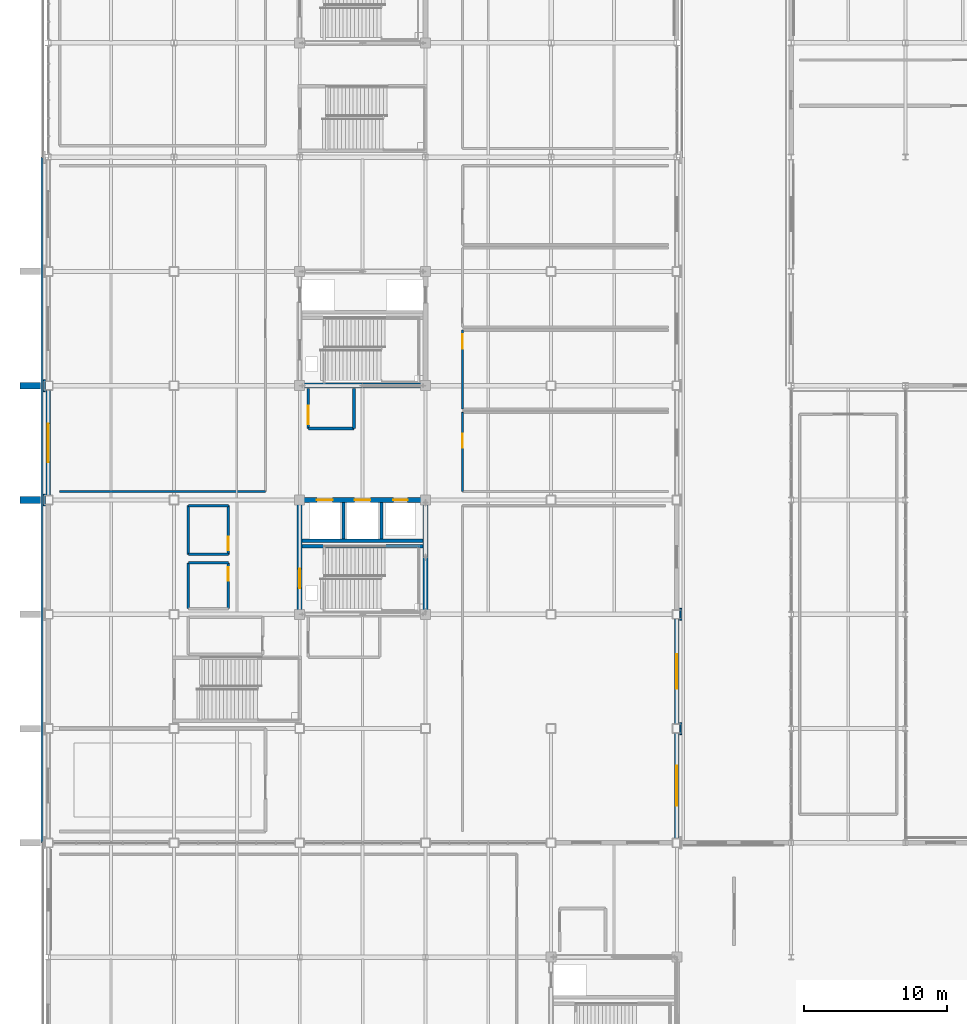
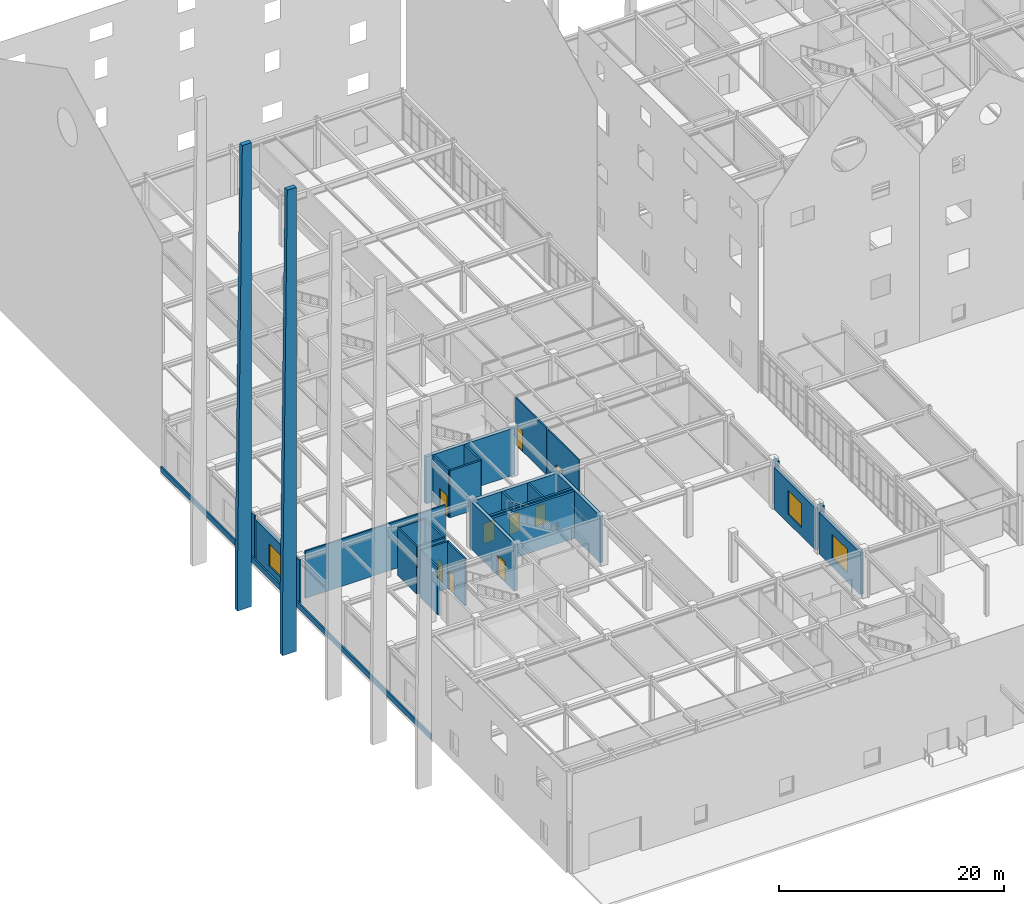
# One storey, part 87 of 119: 31 walls, 9 doors, 3 windows, 12 openings.
"""IFC4 building model written with IfcOpenShell, lengths in metres."""

from ifc_helpers import new_model, si_unit, direction, frame, frame_2d, origin, place, context, subcontext, project, spatial, polyline, rectangle, outline, extrude, material, layer, layer_set, type_object, element, fill, save


model = new_model("IFC4")

# Units and contexts
model_context = context("Model", 3, precision=1e-05, world=origin(), true_north=direction((0.0, 1.0)))
body_context = subcontext(model_context, "Body", "Model", "MODEL_VIEW")
ifc_project = project(units=[si_unit("LENGTHUNIT", "METRE"), si_unit("AREAUNIT", "SQUARE_METRE"), si_unit("VOLUMEUNIT", "CUBIC_METRE"), si_unit("PLANEANGLEUNIT", "RADIAN"), si_unit("MASSUNIT", "GRAM", prefix="KILO")], contexts=[model_context])

# Site, building, storey
site_placement = place(None, origin())
site = spatial("IfcSite", under=ifc_project, at=site_placement, CompositionType="ELEMENT")
building_placement = place(site_placement, origin())
building = spatial("IfcBuilding", under=site, at=building_placement, Name="Zhaolan Boulevard Law Courts", CompositionType="ELEMENT")
storey_placement = place(building_placement, origin())
storey = spatial("IfcBuildingStorey", under=building, at=storey_placement, Name="L00", CompositionType="ELEMENT", Elevation=0.0)

# Wall, openings, doors
ifc_material_1 = material(Name="Concrete C50", Category="concrete")
ifc_layer_1 = layer(ifc_material_1, 0.35009765625)
ifc_layer_set_1 = layer_set([ifc_layer_1])
wall_type_1 = type_object("IfcWallType", Name="CORE SHEAR WALL 350", PredefinedType="SHEAR", material=ifc_layer_set_1)
wall_1_placement = place(storey_placement, frame((26.574951171875, 54.0, 0.0), z_axis=(0.0, 0.0, 1.0), x_axis=(-1.0, 0.0, 0.0)))
wall_1 = element("IfcWall", 1, at=wall_1_placement, inside=storey, type_object=wall_type_1, Name="Core Shear Wall CW-W1-L00N", PredefinedType="SHEAR", context=body_context, shape_type="SweptSolid", body=[
    extrude(rectangle(XDim=9.14990234375, YDim=0.35009765625, at=frame_2d((4.574951171875, 0.0))), origin(), (0.0, 0.0, 1.0), 5.1201171875),
])
opening_1_placement = place(wall_1_placement, frame((6.675048828125, 0.0, 0.0)))
opening_1 = element("IfcOpeningElement", 2, at=opening_1_placement, cuts=wall_1, Name="Opening LD-FL-01-L00", PredefinedType="OPENING", context=body_context, shape_type="SweptSolid", body=[
    extrude(rectangle(XDim=1.10009765625, YDim=2.14990234375, at=frame_2d((0.550048828125, 1.074951171875))), frame((0.0, 0.18505859375, 0.0), z_axis=(0.0, -1.0, 0.0), x_axis=(1.0, 0.0, 0.0)), (0.0, 0.0, 1.0), 0.3701171875),
])
opening_2_placement = place(wall_1_placement, frame((4.02490234375, 0.0, 0.0)))
opening_2 = element("IfcOpeningElement", 3, at=opening_2_placement, cuts=wall_1, Name="Opening LD-FL-02-L00", PredefinedType="OPENING", context=body_context, shape_type="SweptSolid", body=[
    extrude(rectangle(XDim=1.10009765625, YDim=2.14990234375, at=frame_2d((0.550048828125, 1.074951171875))), frame((0.0, 0.18505859375, 0.0), z_axis=(0.0, -1.0, 0.0), x_axis=(1.0, 0.0, 0.0)), (0.0, 0.0, 1.0), 0.3701171875),
])
opening_3_placement = place(wall_1_placement, frame((1.425048828125, 0.0, 0.0)))
opening_3 = element("IfcOpeningElement", 4, at=opening_3_placement, cuts=wall_1, Name="Opening LD-JL-01-L00", PredefinedType="OPENING", context=body_context, shape_type="SweptSolid", body=[
    extrude(rectangle(XDim=1.0, YDim=2.14990234375, at=frame_2d((0.5, 1.074951171875))), frame((0.0, 0.18505859375, 0.0), z_axis=(0.0, -1.0, 0.0), x_axis=(1.0, 0.0, 0.0)), (0.0, 0.0, 1.0), 0.3701171875),
])
ifc_material_2 = material(Name="Stainless steel sliding landing door", Category="steel")
door_type_1 = type_object("IfcDoorType", Name="LIFT LANDING 1000X2150", OperationType="DOUBLE_DOOR_SLIDING", PredefinedType="DOOR", material=ifc_material_2)
door_1_placement = place(opening_3_placement, origin())
door_1 = element("IfcDoor", 5, at=door_1_placement, inside=storey, type_object=door_type_1, Name="Lift Landing Sliding Door LD-JL-01-L00", OperationType="DOUBLE_DOOR_SLIDING", OverallHeight=2.14990234375, OverallWidth=1.0, PredefinedType="DOOR", context=body_context, shape_type="SweptSolid", body=[
    extrude(rectangle(XDim=1.0, YDim=2.14990234375, at=frame_2d((0.5, 1.074951171875))), frame((0.0, 0.02490234375, 0.0), z_axis=(0.0, -1.0, 0.0), x_axis=(1.0, 0.0, 0.0)), (0.0, 0.0, 1.0), 0.050048828125),
])
fill(opening_3, door_1)
ifc_material_3 = material(Name="Stainless steel sliding landing door", Category="steel")
door_type_2 = type_object("IfcDoorType", Name="LIFT LANDING 1100X2150", OperationType="DOUBLE_DOOR_SLIDING", PredefinedType="DOOR", material=ifc_material_3)
door_2_placement = place(opening_1_placement, origin())
door_2 = element("IfcDoor", 6, at=door_2_placement, inside=storey, type_object=door_type_2, Name="Lift Landing Sliding Door LD-FL-01-L00", OperationType="DOUBLE_DOOR_SLIDING", OverallHeight=2.14990234375, OverallWidth=1.10009765625, PredefinedType="DOOR", context=body_context, shape_type="SweptSolid", body=[
    extrude(rectangle(XDim=1.10009765625, YDim=2.14990234375, at=frame_2d((0.550048828125, 1.074951171875))), frame((0.0, 0.02490234375, 0.0), z_axis=(0.0, -1.0, 0.0), x_axis=(1.0, 0.0, 0.0)), (0.0, 0.0, 1.0), 0.050048828125),
])
fill(opening_1, door_2)
door_3_placement = place(opening_2_placement, origin())
door_3 = element("IfcDoor", 7, at=door_3_placement, inside=storey, type_object=door_type_2, Name="Lift Landing Sliding Door LD-FL-02-L00", OperationType="DOUBLE_DOOR_SLIDING", OverallHeight=2.14990234375, OverallWidth=1.10009765625, PredefinedType="DOOR", context=body_context, shape_type="SweptSolid", body=[
    extrude(rectangle(XDim=1.10009765625, YDim=2.14990234375, at=frame_2d((0.550048828125, 1.074951171875))), frame((0.0, 0.02490234375, 0.0), z_axis=(0.0, -1.0, 0.0), x_axis=(1.0, 0.0, 0.0)), (0.0, 0.0, 1.0), 0.050048828125),
])
fill(opening_2, door_3)

# Wall, opening, door
wall_2_placement = place(storey_placement, frame((17.60009765625, 46.175048828125, 0.0), z_axis=(0.0, 0.0, 1.0), x_axis=(0.0, 1.0, 0.0)))
wall_2 = element("IfcWall", 8, at=wall_2_placement, inside=storey, type_object=wall_type_1, Name="Core Shear Wall CW-W1-L00W", PredefinedType="SHEAR", context=body_context, shape_type="SweptSolid", body=[
    extrude(rectangle(XDim=7.64990234375, YDim=0.35009765625, at=frame_2d((3.824951171875, 0.0))), origin(), (0.0, 0.0, 1.0), 5.1201171875),
])
opening_4_placement = place(wall_2_placement, frame((1.64990234375, 0.0, 0.0)))
opening_4 = element("IfcOpeningElement", 9, at=opening_4_placement, cuts=wall_2, Name="Opening SD-L00-02", PredefinedType="OPENING", context=body_context, shape_type="SweptSolid", body=[
    extrude(rectangle(XDim=1.35009765625, YDim=2.199951171875, at=frame_2d((0.675048828125, 1.10009765625))), frame((0.0, 0.18505859375, 0.0), z_axis=(0.0, -1.0, 0.0), x_axis=(1.0, 0.0, 0.0)), (0.0, 0.0, 1.0), 0.3701171875),
])
ifc_material_4 = material(Name="Fire-rated steel acoustic door", Category="steel")
door_type_3 = type_object("IfcDoorType", Name="STAIR FIRE 1350X2200 R", OperationType="SINGLE_SWING_RIGHT", PredefinedType="DOOR", material=ifc_material_4)
door_4_placement = place(opening_4_placement, origin())
door_4 = element("IfcDoor", 10, at=door_4_placement, inside=storey, type_object=door_type_3, Name="Smoke-Proof Stairwell Fire Door SD-L00-02", OperationType="SINGLE_SWING_RIGHT", OverallHeight=2.199951171875, OverallWidth=1.35009765625, PredefinedType="DOOR", context=body_context, shape_type="SweptSolid", body=[
    extrude(rectangle(XDim=1.35009765625, YDim=2.199951171875, at=frame_2d((0.675048828125, 1.10009765625))), frame((0.0, 0.02490234375, 0.0), z_axis=(0.0, -1.0, 0.0), x_axis=(1.0, 0.0, 0.0)), (0.0, 0.0, 1.0), 0.050048828125),
])
fill(opening_4, door_4)

# Walls
wall_3_placement = place(storey_placement, frame((26.39990234375, 46.175048828125, 0.0), z_axis=(0.0, 0.0, 1.0), x_axis=(0.0, 1.0, 0.0)))
element("IfcWall", 11, at=wall_3_placement, inside=storey, type_object=wall_type_1, Name="Core Shear Wall CW-W1-L00E", PredefinedType="SHEAR", context=body_context, shape_type="SweptSolid", body=[
    extrude(rectangle(XDim=7.64990234375, YDim=0.35009765625, at=frame_2d((3.824951171875, 0.0))), origin(), (0.0, 0.0, 1.0), 5.1201171875),
])
wall_4_placement = place(storey_placement, frame((17.425048828125, 62.0, 0.0), z_axis=(0.0, 0.0, 1.0), x_axis=(1.0, 0.0, 0.0)))
element("IfcWall", 12, at=wall_4_placement, inside=storey, type_object=wall_type_1, Name="Core Shear Wall CW-W2-L00S", PredefinedType="SHEAR", context=body_context, shape_type="SweptSolid", body=[
    extrude(rectangle(XDim=9.14990234375, YDim=0.35009765625, at=frame_2d((4.574951171875, 0.0))), origin(), (0.0, 0.0, 1.0), 5.1201171875),
])
ifc_material_5 = material(Name="Concrete C40", Category="concrete")
ifc_layer_2 = layer(ifc_material_5, 0.139892578125)
ifc_layer_set_2 = layer_set([ifc_layer_2])
wall_type_2 = type_object("IfcWallType", Name="EXT WALL ARCH CLAD140", PredefinedType="SOLIDWALL", material=ifc_layer_set_2)
for number, where, z_axis, x_axis, name in (
    (13, (44.280029296875, 37.580078125, 0.0), (0.0, 0.0, 1.0), (0.0, 1.0, 0.0), "Concrete Column Cloak Pier CPR-027"),
    (14, (44.280029296875, 45.580078125, 0.0), (0.0, 0.0, 1.0), (0.0, 1.0, 0.0), "Concrete Column Cloak Pier CPR-029"),
    (15, (-0.280029296875, 53.580078125, 0.0), (0.0, 0.0, 1.0), (0.0, 1.0, 0.0), "Concrete Column Cloak Pier CPR-030"),
    (16, (-0.280029296875, 61.580078125, 0.0), (0.0, 0.0, 1.0), (0.0, 1.0, 0.0), "Concrete Column Cloak Pier CPR-032"),
):
    element("IfcWall", number, at=place(storey_placement, frame(where, z_axis=z_axis, x_axis=x_axis)), inside=storey, type_object=wall_type_2, Name=name, PredefinedType="SOLIDWALL", context=body_context, shape_type="SweptSolid", body=[
        extrude(rectangle(XDim=0.83984375, YDim=0.139892578125, at=frame_2d((0.419921875, 0.0))), origin(), (0.0, 0.0, 1.0), 5.139892578125),
    ])
ifc_material_6 = material(Name="Concrete C40", Category="concrete")
ifc_layer_3 = layer(ifc_material_6, 0.159912109375)
ifc_layer_set_3 = layer_set([ifc_layer_3])
wall_type_3 = type_object("IfcWallType", Name="EXT WALL ARCH CLAD160", PredefinedType="SOLIDWALL", material=ifc_layer_set_3)
wall_5_placement = place(storey_placement, frame((-0.43994140625, 78.0, 0.0), z_axis=(0.0, 0.0, 1.0), x_axis=(0.0, -1.0, 0.0)))
element("IfcWall", 17, at=wall_5_placement, inside=storey, type_object=wall_type_3, Name="Sculpted Concrete Spandrel Band CBW-022", PredefinedType="SOLIDWALL", context=body_context, shape_type="SweptSolid", body=[
    extrude(rectangle(XDim=48.0, YDim=0.159912109375, at=frame_2d((24.0, 0.0))), origin(), (0.0, 0.0, 1.0), 0.580078125),
])
ifc_material_7 = material(Name="Concrete C40", Category="concrete")
ifc_layer_4 = layer(ifc_material_7, 0.4599609375)
ifc_layer_set_4 = layer_set([ifc_layer_4])
wall_type_4 = type_object("IfcWallType", Name="EXT WALL BUTTRESS460", PredefinedType="SOLIDWALL", material=ifc_layer_set_4)
for number, where, z_axis, x_axis, name in (
    (18, (-0.5400390625, 54.0, -4.800048828125), (0.0, 0.0, 1.0), (-1.0, 0.0, 0.0), "Sculpted Raked Concrete Fin SCF-218"),
    (19, (-0.5400390625, 62.0, -4.800048828125), (0.0, 0.0, 1.0), (-1.0, 0.0, 0.0), "Sculpted Raked Concrete Fin SCF-219"),
):
    element("IfcWall", number, at=place(storey_placement, frame(where, z_axis=z_axis, x_axis=x_axis)), inside=storey, type_object=wall_type_4, Name=name, PredefinedType="SOLIDWALL", context=body_context, shape_type="SweptSolid", body=[
        extrude(outline(polyline([(0.0, 0.0), (1.43994140625, 0.0), (1.43994140625, 4.800048828125), (0.949951171875, 50.400146484375), (0.0, 50.400146484375), (0.0, 0.0)])), frame((0.0, 0.22998046875, 0.0), z_axis=(0.0, -1.0, 0.0), x_axis=(1.0, 0.0, 0.0)), (0.0, 0.0, 1.0), 0.4599609375),
    ])

# Wall, opening, window
ifc_material_8 = material(Name="Concrete C40", Category="concrete")
ifc_layer_5 = layer(ifc_material_8, 0.320068359375)
ifc_layer_set_5 = layer_set([ifc_layer_5])
wall_type_5 = type_object("IfcWallType", Name="EXT WALL CONCRETE320", PredefinedType="SOLIDWALL", material=ifc_layer_set_5)
wall_6_placement = place(storey_placement, frame((0.0, 61.678955078125, 0.0), z_axis=(0.0, 0.0, 1.0), x_axis=(0.0, -1.0, 0.0)))
wall_6 = element("IfcWall", 20, at=wall_6_placement, inside=storey, type_object=wall_type_5, Name="Exterior Wall EW-L00-368", PredefinedType="SOLIDWALL", context=body_context, shape_type="SweptSolid", body=[
    extrude(rectangle(XDim=7.35791015625, YDim=0.320068359375, at=frame_2d((3.678955078125, 0.0))), origin(), (0.0, 0.0, 1.0), 4.52294921875),
])
opening_5_placement = place(wall_6_placement, frame((2.3291015625, 0.0, 0.949951171875)))
opening_5 = element("IfcOpeningElement", 21, at=opening_5_placement, cuts=wall_6, Name="Opening WIN-L00-219", PredefinedType="OPENING", context=body_context, shape_type="SweptSolid", body=[
    extrude(rectangle(XDim=2.699951171875, YDim=2.39990234375, at=frame_2d((1.35009765625, 1.199951171875))), frame((0.0, 0.169921875, 0.0), z_axis=(0.0, -1.0, 0.0), x_axis=(1.0, 0.0, 0.0)), (0.0, 0.0, 1.0), 0.340087890625),
])
ifc_material_9 = material(Name="Thermally broken aluminium and low-E glazing", Category="aluminium")
window_type_1 = type_object("IfcWindowType", Name="WINDOW 2700X2400", PartitioningType="DOUBLE_PANEL_VERTICAL", PredefinedType="WINDOW", material=ifc_material_9)
window_1_placement = place(opening_5_placement, origin())
window_1 = element("IfcWindow", 22, at=window_1_placement, inside=storey, type_object=window_type_1, Name="Exterior Window WIN-L00-219", OverallHeight=2.39990234375, OverallWidth=2.699951171875, PartitioningType="SINGLE_PANEL", PredefinedType="WINDOW", context=body_context, shape_type="SweptSolid", body=[
    extrude(rectangle(XDim=2.699951171875, YDim=2.39990234375, at=frame_2d((1.35009765625, 1.199951171875))), frame((0.0, 0.030029296875, 0.0), z_axis=(0.0, -1.0, 0.0), x_axis=(1.0, 0.0, 0.0)), (0.0, 0.0, 1.0), 0.06005859375),
])
fill(opening_5, window_1)

wall_7_placement = place(storey_placement, frame((44.0, 30.321044921875, 0.0), z_axis=(0.0, 0.0, 1.0), x_axis=(0.0, 1.0, 0.0)))
wall_7 = element("IfcWall", 23, at=wall_7_placement, inside=storey, type_object=wall_type_5, Name="Exterior Wall EW-L00-371", PredefinedType="SOLIDWALL", context=body_context, shape_type="SweptSolid", body=[
    extrude(rectangle(XDim=7.35791015625, YDim=0.320068359375, at=frame_2d((3.678955078125, 0.0))), origin(), (0.0, 0.0, 1.0), 4.52294921875),
])
opening_6_placement = place(wall_7_placement, frame((2.279052734375, 0.0, 0.949951171875)))
opening_6 = element("IfcOpeningElement", 24, at=opening_6_placement, cuts=wall_7, Name="Opening WIN-L00-222", PredefinedType="OPENING", context=body_context, shape_type="SweptSolid", body=[
    extrude(rectangle(XDim=2.800048828125, YDim=2.60009765625, at=frame_2d((1.39990234375, 1.300048828125))), frame((0.0, 0.169921875, 0.0), z_axis=(0.0, -1.0, 0.0), x_axis=(1.0, 0.0, 0.0)), (0.0, 0.0, 1.0), 0.340087890625),
])
ifc_material_10 = material(Name="Thermally broken aluminium and low-E glazing", Category="aluminium")
window_type_2 = type_object("IfcWindowType", Name="WINDOW 2800X2600", PartitioningType="DOUBLE_PANEL_VERTICAL", PredefinedType="WINDOW", material=ifc_material_10)
window_2_placement = place(opening_6_placement, origin())
window_2 = element("IfcWindow", 25, at=window_2_placement, inside=storey, type_object=window_type_2, Name="Exterior Window WIN-L00-222", OverallHeight=2.60009765625, OverallWidth=2.800048828125, PartitioningType="SINGLE_PANEL", PredefinedType="WINDOW", context=body_context, shape_type="SweptSolid", body=[
    extrude(rectangle(XDim=2.800048828125, YDim=2.60009765625, at=frame_2d((1.39990234375, 1.300048828125))), frame((0.0, 0.030029296875, 0.0), z_axis=(0.0, -1.0, 0.0), x_axis=(1.0, 0.0, 0.0)), (0.0, 0.0, 1.0), 0.06005859375),
])
fill(opening_6, window_2)

wall_8_placement = place(storey_placement, frame((44.0, 38.321044921875, 0.0), z_axis=(0.0, 0.0, 1.0), x_axis=(0.0, 1.0, 0.0)))
wall_8 = element("IfcWall", 26, at=wall_8_placement, inside=storey, type_object=wall_type_5, Name="Exterior Wall EW-L00-372", PredefinedType="SOLIDWALL", context=body_context, shape_type="SweptSolid", body=[
    extrude(rectangle(XDim=7.35791015625, YDim=0.320068359375, at=frame_2d((3.678955078125, 0.0))), origin(), (0.0, 0.0, 1.0), 4.52294921875),
])
opening_7_placement = place(wall_8_placement, frame((2.47900390625, 0.0, 0.949951171875)))
opening_7 = element("IfcOpeningElement", 27, at=opening_7_placement, cuts=wall_8, Name="Opening WIN-L00-223", PredefinedType="OPENING", context=body_context, shape_type="SweptSolid", body=[
    extrude(rectangle(XDim=2.39990234375, YDim=2.60009765625, at=frame_2d((1.199951171875, 1.300048828125))), frame((0.0, 0.169921875, 0.0), z_axis=(0.0, -1.0, 0.0), x_axis=(1.0, 0.0, 0.0)), (0.0, 0.0, 1.0), 0.340087890625),
])
ifc_material_11 = material(Name="Thermally broken aluminium and low-E glazing", Category="aluminium")
window_type_3 = type_object("IfcWindowType", Name="WINDOW 2400X2600", PartitioningType="DOUBLE_PANEL_VERTICAL", PredefinedType="WINDOW", material=ifc_material_11)
window_3_placement = place(opening_7_placement, origin())
window_3 = element("IfcWindow", 28, at=window_3_placement, inside=storey, type_object=window_type_3, Name="Exterior Window WIN-L00-223", OverallHeight=2.60009765625, OverallWidth=2.39990234375, PartitioningType="SINGLE_PANEL", PredefinedType="WINDOW", context=body_context, shape_type="SweptSolid", body=[
    extrude(rectangle(XDim=2.39990234375, YDim=2.60009765625, at=frame_2d((1.199951171875, 1.300048828125))), frame((0.0, 0.030029296875, 0.0), z_axis=(0.0, -1.0, 0.0), x_axis=(1.0, 0.0, 0.0)), (0.0, 0.0, 1.0), 0.06005859375),
])
fill(opening_7, window_3)

# Walls
ifc_material_12 = material(Name="Concrete C50", Category="concrete")
ifc_layer_6 = layer(ifc_material_12, 0.239990234375)
ifc_layer_set_6 = layer_set([ifc_layer_6])
wall_type_6 = type_object("IfcWallType", Name="LIFT SHAFT WALL 240", PredefinedType="SHEAR", material=ifc_layer_set_6)
wall_9_placement = place(storey_placement, frame((17.77490234375, 51.155029296875, 0.0), z_axis=(0.0, 0.0, 1.0), x_axis=(1.0, 0.0, 0.0)))
element("IfcWall", 29, at=wall_9_placement, inside=storey, type_object=wall_type_6, Name="Lift Shaft Enclosure Wall W1 (L00)", PredefinedType="SHEAR", context=body_context, shape_type="SweptSolid", body=[
    extrude(rectangle(XDim=8.4501953125, YDim=0.239990234375, at=frame_2d((4.22509765625, 0.0))), origin(), (0.0, 0.0, 1.0), 5.1201171875),
])
ifc_material_13 = material(Name="Acoustic gypsum and mineral-wool stud")
ifc_layer_7 = layer(ifc_material_13, 0.18994140625)
ifc_layer_set_7 = layer_set([ifc_layer_7])
wall_type_7 = type_object("IfcWallType", Name="PART WALL ACOUST190", PredefinedType="PARTITIONING", material=ifc_layer_set_7)
wall_10_placement = place(storey_placement, frame((18.199951171875, 59.0, 0.0), z_axis=(0.0, 0.0, 1.0), x_axis=(1.0, 0.0, 0.0)))
element("IfcWall", 30, at=wall_10_placement, inside=storey, type_object=wall_type_7, Name="Interior Partition PW-L00-010", PredefinedType="PARTITIONING", context=body_context, shape_type="SweptSolid", body=[
    extrude(rectangle(XDim=3.199951171875, YDim=0.18994140625, at=frame_2d((1.60009765625, 0.0))), origin(), (0.0, 0.0, 1.0), 5.1201171875),
])

# Wall, opening, door
wall_11_placement = place(storey_placement, frame((18.199951171875, 61.800048828125, 0.0), z_axis=(0.0, 0.0, 1.0), x_axis=(0.0, -1.0, 0.0)))
wall_11 = element("IfcWall", 31, at=wall_11_placement, inside=storey, type_object=wall_type_7, Name="Interior Partition PW-L00-011", PredefinedType="PARTITIONING", context=body_context, shape_type="SweptSolid", body=[
    extrude(rectangle(XDim=2.800048828125, YDim=0.18994140625, at=frame_2d((1.39990234375, 0.0))), origin(), (0.0, 0.0, 1.0), 5.1201171875),
])
opening_8_placement = place(wall_11_placement, frame((1.199951171875, 0.0, 0.0)))
opening_8 = element("IfcOpeningElement", 32, at=opening_8_placement, cuts=wall_11, Name="Opening FD-L00-004", PredefinedType="OPENING", context=body_context, shape_type="SweptSolid", body=[
    extrude(rectangle(XDim=1.300048828125, YDim=2.199951171875, at=frame_2d((0.64990234375, 1.10009765625))), frame((0.0, 0.10498046875, 0.0), z_axis=(0.0, -1.0, 0.0), x_axis=(1.0, 0.0, 0.0)), (0.0, 0.0, 1.0), 0.2099609375),
])
ifc_material_14 = material(Name="Fire-rated steel acoustic door", Category="steel")
door_type_4 = type_object("IfcDoorType", Name="LOBBY FIRE 1300X2200 R", OperationType="SINGLE_SWING_RIGHT", PredefinedType="DOOR", material=ifc_material_14)
door_5_placement = place(opening_8_placement, origin())
door_5 = element("IfcDoor", 33, at=door_5_placement, inside=storey, type_object=door_type_4, Name="Door FD-L00-004 (Lobby Firefighting Lift L00-W2)", OperationType="SINGLE_SWING_RIGHT", OverallHeight=2.199951171875, OverallWidth=1.300048828125, PredefinedType="DOOR", context=body_context, shape_type="SweptSolid", body=[
    extrude(rectangle(XDim=1.300048828125, YDim=2.199951171875, at=frame_2d((0.64990234375, 1.10009765625))), frame((0.0, 0.02490234375, 0.0), z_axis=(0.0, -1.0, 0.0), x_axis=(1.0, 0.0, 0.0)), (0.0, 0.0, 1.0), 0.050048828125),
])
fill(opening_8, door_5)

# Walls
wall_12_placement = place(storey_placement, frame((21.39990234375, 59.0, 0.0), z_axis=(0.0, 0.0, 1.0), x_axis=(0.0, 1.0, 0.0)))
element("IfcWall", 34, at=wall_12_placement, inside=storey, type_object=wall_type_7, Name="Interior Partition PW-L00-012", PredefinedType="PARTITIONING", context=body_context, shape_type="SweptSolid", body=[
    extrude(rectangle(XDim=2.800048828125, YDim=0.18994140625, at=frame_2d((1.39990234375, 0.0))), origin(), (0.0, 0.0, 1.0), 5.1201171875),
])
ifc_material_15 = material(Name="Fire-rated gypsum stud partition")
ifc_layer_8 = layer(ifc_material_15, 0.159912109375)
ifc_layer_set_8 = layer_set([ifc_layer_8])
wall_type_8 = type_object("IfcWallType", Name="PART WALL CHAMB160", PredefinedType="PARTITIONING", material=ifc_layer_set_8)
wall_13_placement = place(storey_placement, frame((0.800048828125, 54.60009765625, 0.0), z_axis=(0.0, 0.0, 1.0), x_axis=(1.0, 0.0, 0.0)))
element("IfcWall", 35, at=wall_13_placement, inside=storey, type_object=wall_type_8, Name="Interior Partition PW-L00-318", PredefinedType="PARTITIONING", context=body_context, shape_type="SweptSolid", body=[
    extrude(rectangle(XDim=14.39990234375, YDim=0.159912109375, at=frame_2d((7.199951171875, 0.0))), origin(), (0.0, 0.0, 1.0), 5.1201171875),
])
ifc_material_16 = material(Name="Concrete C40", Category="concrete")
ifc_layer_9 = layer(ifc_material_16, 0.2099609375)
ifc_layer_set_9 = layer_set([ifc_layer_9])
wall_type_9 = type_object("IfcWallType", Name="PART WALL CUSTODY210", PredefinedType="PARTITIONING", material=ifc_layer_set_9)
for number, where, z_axis, x_axis, name in (
    (36, (20.675048828125, 51.277099609375, 0.0), (0.0, 0.0, 1.0), (0.0, 1.0, 0.0), "Lift Shaft Divider Wall W1-1 (L00)"),
    (37, (23.337890625, 51.277099609375, 0.0), (0.0, 0.0, 1.0), (0.0, 1.0, 0.0), "Lift Shaft Divider Wall W1-2 (L00)"),
):
    element("IfcWall", number, at=place(storey_placement, frame(where, z_axis=z_axis, x_axis=x_axis)), inside=storey, type_object=wall_type_9, Name=name, PredefinedType="PARTITIONING", context=body_context, shape_type="SweptSolid", body=[
        extrude(rectangle(XDim=2.5458984375, YDim=0.2099609375, at=frame_2d((1.27294921875, 0.0))), origin(), (0.0, 0.0, 1.0), 5.1201171875),
    ])

# Wall, opening, door
ifc_material_17 = material(Name="Gypsum board stud partition")
ifc_layer_10 = layer(ifc_material_17, 0.1201171875)
ifc_layer_set_10 = layer_set([ifc_layer_10])
wall_type_10 = type_object("IfcWallType", Name="PART WALL LIGHT120", PredefinedType="PARTITIONING", material=ifc_layer_set_10)
wall_14_placement = place(storey_placement, frame((29.0, 60.135009765625, 0.0), z_axis=(0.0, 0.0, 1.0), x_axis=(0.0, -1.0, 0.0)))
wall_14 = element("IfcWall", 38, at=wall_14_placement, inside=storey, type_object=wall_type_10, Name="Interior Partition PW-L00-308", PredefinedType="PARTITIONING", context=body_context, shape_type="SweptSolid", body=[
    extrude(rectangle(XDim=5.534912109375, YDim=0.1201171875, at=frame_2d((2.767578125, 0.0))), origin(), (0.0, 0.0, 1.0), 5.1201171875),
])
opening_9_placement = place(wall_14_placement, frame((1.486083984375, 0.0, 0.0)))
opening_9 = element("IfcOpeningElement", 39, at=opening_9_placement, cuts=wall_14, Name="Opening JD-L00-095", PredefinedType="OPENING", context=body_context, shape_type="SweptSolid", body=[
    extrude(rectangle(XDim=0.97998046875, YDim=2.14990234375, at=frame_2d((0.489990234375, 1.074951171875))), frame((0.0, 0.070068359375, 0.0), z_axis=(0.0, -1.0, 0.0), x_axis=(1.0, 0.0, 0.0)), (0.0, 0.0, 1.0), 0.14013671875),
])
ifc_material_18 = material(Name="Solid-core acoustic oak veneer door")
door_type_5 = type_object("IfcDoorType", Name="CHAMBER DOOR 980X2150 R", OperationType="SINGLE_SWING_RIGHT", PredefinedType="DOOR", material=ifc_material_18)
door_6_placement = place(opening_9_placement, origin())
door_6 = element("IfcDoor", 40, at=door_6_placement, inside=storey, type_object=door_type_5, Name="Door JD-L00-095 (Judges' Chambers L00-01)", OperationType="SINGLE_SWING_RIGHT", OverallHeight=2.14990234375, OverallWidth=0.97998046875, PredefinedType="DOOR", context=body_context, shape_type="SweptSolid", body=[
    extrude(rectangle(XDim=0.97998046875, YDim=2.14990234375, at=frame_2d((0.489990234375, 1.074951171875))), frame((0.0, 0.02490234375, 0.0), z_axis=(0.0, -1.0, 0.0), x_axis=(1.0, 0.0, 0.0)), (0.0, 0.0, 1.0), 0.050048828125),
])
fill(opening_9, door_6)

ifc_material_19 = material(Name="Fire-rated gypsum stud partition")
ifc_layer_11 = layer(ifc_material_19, 0.139892578125)
ifc_layer_set_11 = layer_set([ifc_layer_11])
wall_type_11 = type_object("IfcWallType", Name="PART WALL OFFICE140", PredefinedType="PARTITIONING", material=ifc_layer_set_11)
wall_15_placement = place(storey_placement, frame((29.0, 65.889892578125, 0.0), z_axis=(0.0, 0.0, 1.0), x_axis=(0.0, -1.0, 0.0)))
wall_15 = element("IfcWall", 41, at=wall_15_placement, inside=storey, type_object=wall_type_11, Name="Interior Partition PW-L00-311", PredefinedType="PARTITIONING", context=body_context, shape_type="SweptSolid", body=[
    extrude(rectangle(XDim=5.534912109375, YDim=0.139892578125, at=frame_2d((2.767578125, 0.0))), origin(), (0.0, 0.0, 1.0), 5.1201171875),
])
opening_10_placement = place(wall_15_placement, frame((0.300048828125, 0.0, 0.0)))
opening_10 = element("IfcOpeningElement", 42, at=opening_10_placement, cuts=wall_15, Name="Opening JD-L00-096", PredefinedType="OPENING", context=body_context, shape_type="SweptSolid", body=[
    extrude(rectangle(XDim=1.0, YDim=2.199951171875, at=frame_2d((0.5, 1.10009765625))), frame((0.0, 0.079833984375, 0.0), z_axis=(0.0, -1.0, 0.0), x_axis=(1.0, 0.0, 0.0)), (0.0, 0.0, 1.0), 0.159912109375),
])
ifc_material_20 = material(Name="Solid-core acoustic oak veneer door")
door_type_6 = type_object("IfcDoorType", Name="CHAMBER DOOR 1000X2200 L", OperationType="SINGLE_SWING_LEFT", PredefinedType="DOOR", material=ifc_material_20)
door_7_placement = place(opening_10_placement, origin())
door_7 = element("IfcDoor", 43, at=door_7_placement, inside=storey, type_object=door_type_6, Name="Door JD-L00-096 (Judges' Chambers L00-02)", OperationType="SINGLE_SWING_LEFT", OverallHeight=2.199951171875, OverallWidth=1.0, PredefinedType="DOOR", context=body_context, shape_type="SweptSolid", body=[
    extrude(rectangle(XDim=1.0, YDim=2.199951171875, at=frame_2d((0.5, 1.10009765625))), frame((0.0, 0.02490234375, 0.0), z_axis=(0.0, -1.0, 0.0), x_axis=(1.0, 0.0, 0.0)), (0.0, 0.0, 1.0), 0.050048828125),
])
fill(opening_10, door_7)

# Walls
ifc_material_21 = material(Name="Moisture-resistant masonry chase wall", Category="masonry")
ifc_layer_12 = layer(ifc_material_21, 0.179931640625)
ifc_layer_set_12 = layer_set([ifc_layer_12])
wall_type_12 = type_object("IfcWallType", Name="PLUMB WALL 180", PredefinedType="PLUMBINGWALL", material=ifc_layer_set_12)
wall_16_placement = place(storey_placement, frame((12.60009765625, 49.60009765625, 0.0), z_axis=(0.0, 0.0, 1.0), x_axis=(-1.0, 0.0, 0.0)))
element("IfcWall", 44, at=wall_16_placement, inside=storey, type_object=wall_type_12, Name="Interior Partition PW-L00-092", PredefinedType="PLUMBINGWALL", context=body_context, shape_type="SweptSolid", body=[
    extrude(rectangle(XDim=2.800048828125, YDim=0.179931640625, at=frame_2d((1.39990234375, 0.0))), origin(), (0.0, 0.0, 1.0), 5.1201171875),
])
wall_17_placement = place(storey_placement, frame((9.800048828125, 49.60009765625, 0.0), z_axis=(0.0, 0.0, 1.0), x_axis=(0.0, -1.0, 0.0)))
element("IfcWall", 45, at=wall_17_placement, inside=storey, type_object=wall_type_12, Name="Interior Partition PW-L00-093", PredefinedType="PLUMBINGWALL", context=body_context, shape_type="SweptSolid", body=[
    extrude(rectangle(XDim=3.2001953125, YDim=0.179931640625, at=frame_2d((1.60009765625, 0.0))), origin(), (0.0, 0.0, 1.0), 5.1201171875),
])

# Wall, opening, door
wall_18_placement = place(storey_placement, frame((12.60009765625, 46.39990234375, 0.0), z_axis=(0.0, 0.0, 1.0), x_axis=(0.0, 1.0, 0.0)))
wall_18 = element("IfcWall", 46, at=wall_18_placement, inside=storey, type_object=wall_type_12, Name="Interior Partition PW-L00-094", PredefinedType="PLUMBINGWALL", context=body_context, shape_type="SweptSolid", body=[
    extrude(rectangle(XDim=3.2001953125, YDim=0.179931640625, at=frame_2d((1.60009765625, 0.0))), origin(), (0.0, 0.0, 1.0), 5.1201171875),
])
opening_11_placement = place(wall_18_placement, frame((1.93994140625, 0.0, 0.0)))
opening_11 = element("IfcOpeningElement", 47, at=opening_11_placement, cuts=wall_18, Name="Opening WD-L00-031", PredefinedType="OPENING", context=body_context, shape_type="SweptSolid", body=[
    extrude(rectangle(XDim=0.9599609375, YDim=2.10009765625, at=frame_2d((0.47998046875, 1.050048828125))), frame((0.0, 0.099853515625, 0.0), z_axis=(0.0, -1.0, 0.0), x_axis=(1.0, 0.0, 0.0)), (0.0, 0.0, 1.0), 0.199951171875),
])
ifc_material_22 = material(Name="Solid-core acoustic oak veneer door")
door_type_7 = type_object("IfcDoorType", Name="WCDOOR ACC 960X2100 L", OperationType="SINGLE_SWING_LEFT", PredefinedType="DOOR", material=ifc_material_22)
door_8_placement = place(opening_11_placement, origin())
door_8 = element("IfcDoor", 48, at=door_8_placement, inside=storey, type_object=door_type_7, Name="Door WD-L00-031 (Accessible WC L00)", OperationType="SINGLE_SWING_LEFT", OverallHeight=2.10009765625, OverallWidth=0.9599609375, PredefinedType="DOOR", context=body_context, shape_type="SweptSolid", body=[
    extrude(rectangle(XDim=0.9599609375, YDim=2.10009765625, at=frame_2d((0.47998046875, 1.050048828125))), frame((0.0, 0.02490234375, 0.0), z_axis=(0.0, -1.0, 0.0), x_axis=(1.0, 0.0, 0.0)), (0.0, 0.0, 1.0), 0.050048828125),
])
fill(opening_11, door_8)

# Walls
for number, where, z_axis, x_axis, name in (
    (49, (9.800048828125, 50.199951171875, 0.0), (0.0, 0.0, 1.0), (1.0, 0.0, 0.0), "Interior Partition PW-L00-095"),
    (50, (12.60009765625, 53.60009765625, 0.0), (0.0, 0.0, 1.0), (-1.0, 0.0, 0.0), "Interior Partition PW-L00-096"),
):
    element("IfcWall", number, at=place(storey_placement, frame(where, z_axis=z_axis, x_axis=x_axis)), inside=storey, type_object=wall_type_12, Name=name, PredefinedType="PLUMBINGWALL", context=body_context, shape_type="SweptSolid", body=[
        extrude(rectangle(XDim=2.800048828125, YDim=0.179931640625, at=frame_2d((1.39990234375, 0.0))), origin(), (0.0, 0.0, 1.0), 5.1201171875),
    ])
wall_19_placement = place(storey_placement, frame((9.800048828125, 53.60009765625, 0.0), z_axis=(0.0, 0.0, 1.0), x_axis=(0.0, -1.0, 0.0)))
element("IfcWall", 51, at=wall_19_placement, inside=storey, type_object=wall_type_12, Name="Interior Partition PW-L00-097", PredefinedType="PLUMBINGWALL", context=body_context, shape_type="SweptSolid", body=[
    extrude(rectangle(XDim=3.400146484375, YDim=0.179931640625, at=frame_2d((1.7001953125, 0.0))), origin(), (0.0, 0.0, 1.0), 5.1201171875),
])

# Wall, opening, door
wall_20_placement = place(storey_placement, frame((12.60009765625, 50.199951171875, 0.0), z_axis=(0.0, 0.0, 1.0), x_axis=(0.0, 1.0, 0.0)))
wall_20 = element("IfcWall", 52, at=wall_20_placement, inside=storey, type_object=wall_type_12, Name="Interior Partition PW-L00-098", PredefinedType="PLUMBINGWALL", context=body_context, shape_type="SweptSolid", body=[
    extrude(rectangle(XDim=3.400146484375, YDim=0.179931640625, at=frame_2d((1.7001953125, 0.0))), origin(), (0.0, 0.0, 1.0), 5.1201171875),
])
opening_12_placement = place(wall_20_placement, frame((0.300048828125, 0.0, 0.0)))
opening_12 = element("IfcOpeningElement", 53, at=opening_12_placement, cuts=wall_20, Name="Opening WD-L00-032", PredefinedType="OPENING", context=body_context, shape_type="SweptSolid", body=[
    extrude(rectangle(XDim=0.919921875, YDim=2.10009765625, at=frame_2d((0.4599609375, 1.050048828125))), frame((0.0, 0.099853515625, 0.0), z_axis=(0.0, -1.0, 0.0), x_axis=(1.0, 0.0, 0.0)), (0.0, 0.0, 1.0), 0.199951171875),
])
ifc_material_23 = material(Name="Solid-core acoustic oak veneer door")
door_type_8 = type_object("IfcDoorType", Name="WCDOOR PUB 920X2100 R", OperationType="SINGLE_SWING_RIGHT", PredefinedType="DOOR", material=ifc_material_23)
door_9_placement = place(opening_12_placement, origin())
door_9 = element("IfcDoor", 54, at=door_9_placement, inside=storey, type_object=door_type_8, Name="Door WD-L00-032 (WC Public Male L00)", OperationType="SINGLE_SWING_RIGHT", OverallHeight=2.10009765625, OverallWidth=0.919921875, PredefinedType="DOOR", context=body_context, shape_type="SweptSolid", body=[
    extrude(rectangle(XDim=0.919921875, YDim=2.10009765625, at=frame_2d((0.4599609375, 1.050048828125))), frame((0.0, 0.02490234375, 0.0), z_axis=(0.0, -1.0, 0.0), x_axis=(1.0, 0.0, 0.0)), (0.0, 0.0, 1.0), 0.050048828125),
])
fill(opening_12, door_9)

# Wall
ifc_material_24 = material(Name="Concrete C50", Category="concrete")
ifc_layer_13 = layer(ifc_material_24, 0.239990234375)
ifc_layer_set_13 = layer_set([ifc_layer_13])
wall_type_13 = type_object("IfcWallType", Name="STAIR WELL WALL 240", PredefinedType="SHEAR", material=ifc_layer_set_13)
wall_21_placement = place(storey_placement, frame((17.77490234375, 50.75, 0.0), z_axis=(0.0, 0.0, 1.0), x_axis=(1.0, 0.0, 0.0)))
element("IfcWall", 55, at=wall_21_placement, inside=storey, type_object=wall_type_13, Name="Stairwell Divider Shear Wall ST01-L00N", PredefinedType="SHEAR", context=body_context, shape_type="SweptSolid", body=[
    extrude(rectangle(XDim=8.4501953125, YDim=0.239990234375, at=frame_2d((4.22509765625, 0.0))), origin(), (0.0, 0.0, 1.0), 5.1201171875),
])

save(model, "model.ifc")
